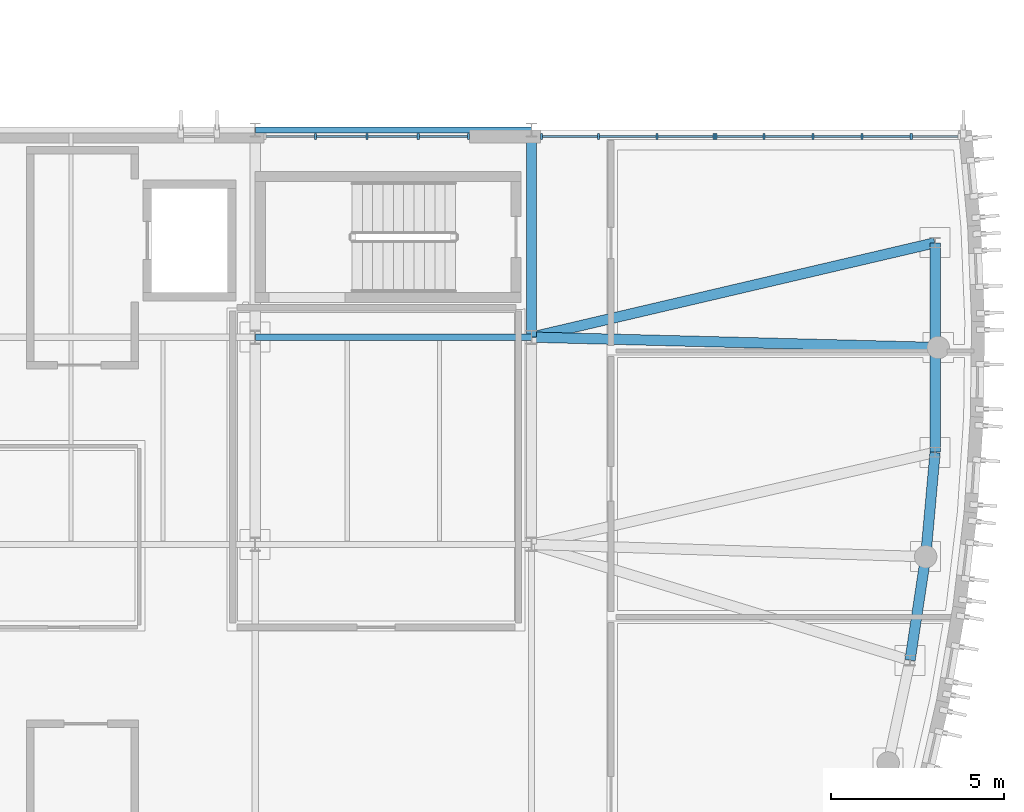
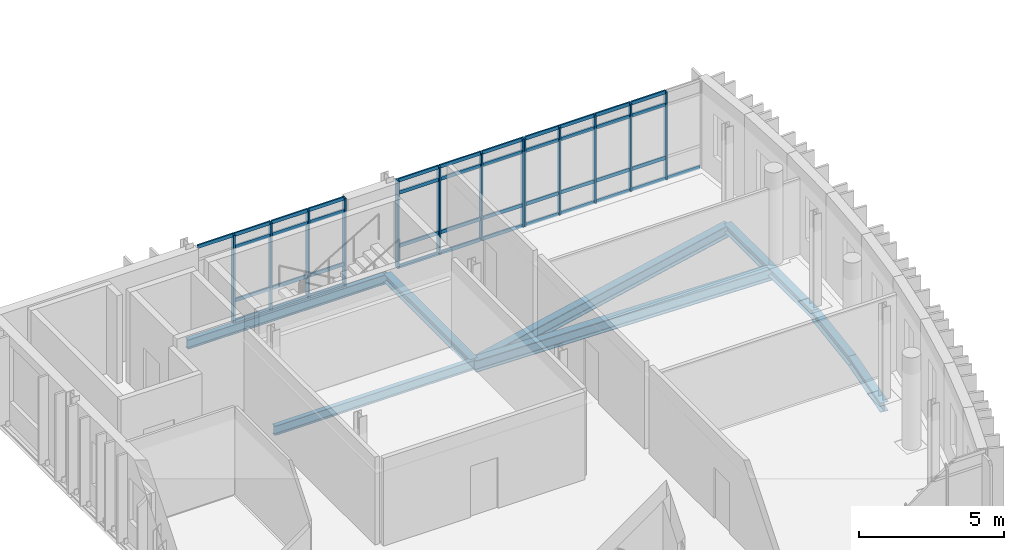
# One storey, part 11 of 28: 55 members, 8 beams, 3 elements without a shape of their own.
"""IFC4 building model written with IfcOpenShell, lengths in metres."""

from ifc_helpers import new_model, si_unit, direction, frame, origin, origin_2d, place, context, subcontext, project, spatial, rectangle, i_section, extrude, material, material_profile, profile_set, type_object, element, aggregate, save


model = new_model("IFC4")

# Units and contexts
model_context = context("Model", 3, precision=1e-05, world=origin(), true_north=direction((0.0, 1.0)))
body_context = subcontext(model_context, "Body", "Model", "MODEL_VIEW")
ifc_project = project(units=[si_unit("LENGTHUNIT", "METRE"), si_unit("AREAUNIT", "SQUARE_METRE"), si_unit("VOLUMEUNIT", "CUBIC_METRE"), si_unit("PLANEANGLEUNIT", "RADIAN"), si_unit("MASSUNIT", "GRAM", prefix="KILO")], contexts=[model_context])

# Site, building, storey
site_placement = place(None, origin())
site = spatial("IfcSite", under=ifc_project, at=site_placement, CompositionType="ELEMENT")
building_placement = place(site_placement, origin())
building = spatial("IfcBuilding", under=site, at=building_placement, Name="Cymarion Research Institute", CompositionType="ELEMENT")
storey_placement = place(building_placement, frame((0.0, 0.0, 30.60009765625)))
storey = spatial("IfcBuildingStorey", under=building, at=storey_placement, Name="L07", CompositionType="ELEMENT", Elevation=30.60009765625)

# Curtain wall, members
ifc_material_1 = material(Name="Anodised aluminium unitised curtain wall with Low-E glazing", Category="aluminium")
curtain_wall_type_1 = type_object("IfcCurtainWallType", Name="UNITISED CURTAIN WALL CW67 7100X3700", PredefinedType="NOTDEFINED", material=ifc_material_1)
curtain_wall_1_placement = place(storey_placement, origin())
curtain_wall_1 = element("IfcCurtainWall", 1, at=curtain_wall_1_placement, inside=storey, type_object=curtain_wall_type_1, Name="L07 V1 unitised curtain wall CW67 #232", PredefinedType="NOTDEFINED")
ifc_material_2 = material(Name="Anodised aluminium framing", Category="aluminium")
ifc_material_profile_1 = material_profile(ifc_material_2, rectangle(XDim=0.06005859375, YDim=0.179931640625, at=origin_2d()), Name="ALU MULLION 60x180")
ifc_profile_set_1 = profile_set([ifc_material_profile_1], Name="Anodised aluminium framing")
member_type_1 = type_object("IfcMemberType", Name="CURTAIN WALL MULLION ML01 60X180", PredefinedType="MULLION", material=ifc_profile_set_1)
member_1_placement = place(storey_placement, frame((165.59521484375, 29.31005859375, 0.0), z_axis=(0.0, 0.0, 1.0), x_axis=(-1.0, 0.0, 0.0)))
member_1 = element("IfcMember", 2, at=member_1_placement, type_object=member_type_1, Name="CW67 mullion 2", PredefinedType="MULLION", context=body_context, shape_type="SweptSolid", body=[
    extrude(rectangle(XDim=0.06005859375, YDim=0.179931640625, at=origin_2d()), origin(), (0.0, 0.0, 1.0), 3.699951171875),
])
member_2_placement = place(storey_placement, frame((164.17431640625, 29.31005859375, 0.0), z_axis=(0.0, 0.0, 1.0), x_axis=(-1.0, 0.0, 0.0)))
member_2 = element("IfcMember", 3, at=member_2_placement, type_object=member_type_1, Name="CW67 mullion 3", PredefinedType="MULLION", context=body_context, shape_type="SweptSolid", body=[
    extrude(rectangle(XDim=0.06005859375, YDim=0.179931640625, at=origin_2d()), origin(), (0.0, 0.0, 1.0), 3.699951171875),
])
member_3_placement = place(storey_placement, frame((162.75341796875, 29.31005859375, 0.0), z_axis=(0.0, 0.0, 1.0), x_axis=(-1.0, 0.0, 0.0)))
member_3 = element("IfcMember", 4, at=member_3_placement, type_object=member_type_1, Name="CW67 mullion 4", PredefinedType="MULLION", context=body_context, shape_type="SweptSolid", body=[
    extrude(rectangle(XDim=0.06005859375, YDim=0.179931640625, at=origin_2d()), origin(), (0.0, 0.0, 1.0), 3.699951171875),
])
member_4_placement = place(storey_placement, frame((161.332763671875, 29.31005859375, 0.0), z_axis=(0.0, 0.0, 1.0), x_axis=(-1.0, 0.0, 0.0)))
member_4 = element("IfcMember", 5, at=member_4_placement, type_object=member_type_1, Name="CW67 mullion 5", PredefinedType="MULLION", context=body_context, shape_type="SweptSolid", body=[
    extrude(rectangle(XDim=0.06005859375, YDim=0.179931640625, at=origin_2d()), origin(), (0.0, 0.0, 1.0), 3.699951171875),
])
member_5_placement = place(storey_placement, frame((159.94189453125, 29.31005859375, 0.0), z_axis=(0.0, 0.0, 1.0), x_axis=(-1.0, 0.0, 0.0)))
member_5 = element("IfcMember", 6, at=member_5_placement, type_object=member_type_1, Name="CW67 mullion 6", PredefinedType="MULLION", context=body_context, shape_type="SweptSolid", body=[
    extrude(rectangle(XDim=0.06005859375, YDim=0.179931640625, at=origin_2d()), origin(), (0.0, 0.0, 1.0), 3.699951171875),
])

curtain_wall_type_2 = type_object("IfcCurtainWallType", Name="UNITISED CURTAIN WALL CW68 5050X3700", PredefinedType="NOTDEFINED", material=ifc_material_1)
curtain_wall_2_placement = place(storey_placement, origin())
curtain_wall_2 = element("IfcCurtainWall", 7, at=curtain_wall_2_placement, inside=storey, type_object=curtain_wall_type_2, Name="L07 V1 unitised curtain wall CW68 #233", PredefinedType="NOTDEFINED")
member_6_placement = place(storey_placement, frame((159.8818359375, 29.31005859375, 0.0), z_axis=(0.0, 0.0, 1.0), x_axis=(-1.0, 0.0, 0.0)))
member_6 = element("IfcMember", 8, at=member_6_placement, type_object=member_type_1, Name="CW68 mullion 1", PredefinedType="MULLION", context=body_context, shape_type="SweptSolid", body=[
    extrude(rectangle(XDim=0.06005859375, YDim=0.179931640625, at=origin_2d()), origin(), (0.0, 0.0, 1.0), 3.699951171875),
])
member_7_placement = place(storey_placement, frame((158.22802734375, 29.31005859375, 0.0), z_axis=(0.0, 0.0, 1.0), x_axis=(-1.0, 0.0, 0.0)))
member_7 = element("IfcMember", 9, at=member_7_placement, type_object=member_type_1, Name="CW68 mullion 2", PredefinedType="MULLION", context=body_context, shape_type="SweptSolid", body=[
    extrude(rectangle(XDim=0.06005859375, YDim=0.179931640625, at=origin_2d()), origin(), (0.0, 0.0, 1.0), 3.699951171875),
])
member_8_placement = place(storey_placement, frame((156.5439453125, 29.31005859375, 0.0), z_axis=(0.0, 0.0, 1.0), x_axis=(-1.0, 0.0, 0.0)))
member_8 = element("IfcMember", 10, at=member_8_placement, type_object=member_type_1, Name="CW68 mullion 3", PredefinedType="MULLION", context=body_context, shape_type="SweptSolid", body=[
    extrude(rectangle(XDim=0.06005859375, YDim=0.179931640625, at=origin_2d()), origin(), (0.0, 0.0, 1.0), 3.699951171875),
])
member_9_placement = place(storey_placement, frame((154.889892578125, 29.31005859375, 0.0), z_axis=(0.0, 0.0, 1.0), x_axis=(-1.0, 0.0, 0.0)))
member_9 = element("IfcMember", 11, at=member_9_placement, type_object=member_type_1, Name="CW68 mullion 4", PredefinedType="MULLION", context=body_context, shape_type="SweptSolid", body=[
    extrude(rectangle(XDim=0.06005859375, YDim=0.179931640625, at=origin_2d()), origin(), (0.0, 0.0, 1.0), 3.699951171875),
])

curtain_wall_type_3 = type_object("IfcCurtainWallType", Name="UNITISED CURTAIN WALL CW69 5950X3700", PredefinedType="NOTDEFINED", material=ifc_material_1)
curtain_wall_3_placement = place(storey_placement, origin())
curtain_wall_3 = element("IfcCurtainWall", 12, at=curtain_wall_3_placement, inside=storey, type_object=curtain_wall_type_3, Name="L07 V1 unitised curtain wall CW69 #234", PredefinedType="NOTDEFINED")
member_10_placement = place(storey_placement, frame((152.77783203125, 29.31005859375, 0.0), z_axis=(0.0, 0.0, 1.0), x_axis=(-1.0, 0.0, 0.0)))
member_10 = element("IfcMember", 13, at=member_10_placement, type_object=member_type_1, Name="CW69 mullion 1", PredefinedType="MULLION", context=body_context, shape_type="SweptSolid", body=[
    extrude(rectangle(XDim=0.06005859375, YDim=0.179931640625, at=origin_2d()), origin(), (0.0, 0.0, 1.0), 3.699951171875),
])
member_11_placement = place(storey_placement, frame((151.321044921875, 29.31005859375, 0.0), z_axis=(0.0, 0.0, 1.0), x_axis=(-1.0, 0.0, 0.0)))
member_11 = element("IfcMember", 14, at=member_11_placement, type_object=member_type_1, Name="CW69 mullion 2", PredefinedType="MULLION", context=body_context, shape_type="SweptSolid", body=[
    extrude(rectangle(XDim=0.06005859375, YDim=0.179931640625, at=origin_2d()), origin(), (0.0, 0.0, 1.0), 3.699951171875),
])
member_12_placement = place(storey_placement, frame((149.833984375, 29.31005859375, 0.0), z_axis=(0.0, 0.0, 1.0), x_axis=(-1.0, 0.0, 0.0)))
member_12 = element("IfcMember", 15, at=member_12_placement, type_object=member_type_1, Name="CW69 mullion 3", PredefinedType="MULLION", context=body_context, shape_type="SweptSolid", body=[
    extrude(rectangle(XDim=0.06005859375, YDim=0.179931640625, at=origin_2d()), origin(), (0.0, 0.0, 1.0), 3.699951171875),
])
member_13_placement = place(storey_placement, frame((148.346923828125, 29.31005859375, 0.0), z_axis=(0.0, 0.0, 1.0), x_axis=(-1.0, 0.0, 0.0)))
member_13 = element("IfcMember", 16, at=member_13_placement, type_object=member_type_1, Name="CW69 mullion 4", PredefinedType="MULLION", context=body_context, shape_type="SweptSolid", body=[
    extrude(rectangle(XDim=0.06005859375, YDim=0.179931640625, at=origin_2d()), origin(), (0.0, 0.0, 1.0), 3.699951171875),
])

# Member
ifc_material_profile_2 = material_profile(ifc_material_2, rectangle(XDim=0.06005859375, YDim=0.14990234375, at=origin_2d()), Name="ALU TRANSOM 60x150")
ifc_profile_set_2 = profile_set([ifc_material_profile_2], Name="Anodised aluminium framing")
member_type_2 = type_object("IfcMemberType", Name="CURTAIN WALL TRANSOM TR01 60X150", PredefinedType="USERDEFINED", material=ifc_profile_set_2)
member_14_placement = place(storey_placement, frame((166.955810546875, 29.31005859375, 0.02978515625), z_axis=(-1.0, 0.0, 0.0), x_axis=(0.0, -1.0, 0.0)))
member_14 = element("IfcMember", 17, at=member_14_placement, type_object=member_type_2, Name="CW67 transom 1.1", ObjectType="TRANSOM", PredefinedType="USERDEFINED", context=body_context, shape_type="SweptSolid", body=[
    extrude(rectangle(XDim=0.06005859375, YDim=0.14990234375, at=origin_2d()), origin(), (0.0, 0.0, 1.0), 1.330810546875),
])

member_15_placement = place(storey_placement, frame((165.565185546875, 29.31005859375, 0.02978515625), z_axis=(-1.0, 0.0, 0.0), x_axis=(0.0, -1.0, 0.0)))
member_15 = element("IfcMember", 18, at=member_15_placement, type_object=member_type_2, Name="CW67 transom 2.1", ObjectType="TRANSOM", PredefinedType="USERDEFINED", context=body_context, shape_type="SweptSolid", body=[
    extrude(rectangle(XDim=0.06005859375, YDim=0.14990234375, at=origin_2d()), origin(), (0.0, 0.0, 1.0), 1.36083984375),
])

member_16_placement = place(storey_placement, frame((165.565185546875, 29.31005859375, 0.89990234375), z_axis=(-1.0, 0.0, 0.0), x_axis=(0.0, -1.0, 0.0)))
member_16 = element("IfcMember", 19, at=member_16_placement, type_object=member_type_2, Name="CW67 transom 2.2", ObjectType="TRANSOM", PredefinedType="USERDEFINED", context=body_context, shape_type="SweptSolid", body=[
    extrude(rectangle(XDim=0.06005859375, YDim=0.14990234375, at=origin_2d()), origin(), (0.0, 0.0, 1.0), 1.36083984375),
])

member_17_placement = place(storey_placement, frame((165.565185546875, 29.31005859375, 3.14990234375), z_axis=(-1.0, 0.0, 0.0), x_axis=(0.0, -1.0, 0.0)))
member_17 = element("IfcMember", 20, at=member_17_placement, type_object=member_type_2, Name="CW67 transom 2.3", ObjectType="TRANSOM", PredefinedType="USERDEFINED", context=body_context, shape_type="SweptSolid", body=[
    extrude(rectangle(XDim=0.06005859375, YDim=0.14990234375, at=origin_2d()), origin(), (0.0, 0.0, 1.0), 1.36083984375),
])

member_18_placement = place(storey_placement, frame((165.565185546875, 29.31005859375, 3.669921875), z_axis=(-1.0, 0.0, 0.0), x_axis=(0.0, -1.0, 0.0)))
member_18 = element("IfcMember", 21, at=member_18_placement, type_object=member_type_2, Name="CW67 transom 2.4", ObjectType="TRANSOM", PredefinedType="USERDEFINED", context=body_context, shape_type="SweptSolid", body=[
    extrude(rectangle(XDim=0.06005859375, YDim=0.14990234375, at=origin_2d()), origin(), (0.0, 0.0, 1.0), 1.36083984375),
])

member_19_placement = place(storey_placement, frame((164.144287109375, 29.31005859375, 0.02978515625), z_axis=(-1.0, 0.0, 0.0), x_axis=(0.0, -1.0, 0.0)))
member_19 = element("IfcMember", 22, at=member_19_placement, type_object=member_type_2, Name="CW67 transom 3.1", ObjectType="TRANSOM", PredefinedType="USERDEFINED", context=body_context, shape_type="SweptSolid", body=[
    extrude(rectangle(XDim=0.06005859375, YDim=0.14990234375, at=origin_2d()), origin(), (0.0, 0.0, 1.0), 1.36083984375),
])

member_20_placement = place(storey_placement, frame((164.144287109375, 29.31005859375, 0.89990234375), z_axis=(-1.0, 0.0, 0.0), x_axis=(0.0, -1.0, 0.0)))
member_20 = element("IfcMember", 23, at=member_20_placement, type_object=member_type_2, Name="CW67 transom 3.2", ObjectType="TRANSOM", PredefinedType="USERDEFINED", context=body_context, shape_type="SweptSolid", body=[
    extrude(rectangle(XDim=0.06005859375, YDim=0.14990234375, at=origin_2d()), origin(), (0.0, 0.0, 1.0), 1.36083984375),
])

member_21_placement = place(storey_placement, frame((164.144287109375, 29.31005859375, 3.14990234375), z_axis=(-1.0, 0.0, 0.0), x_axis=(0.0, -1.0, 0.0)))
member_21 = element("IfcMember", 24, at=member_21_placement, type_object=member_type_2, Name="CW67 transom 3.3", ObjectType="TRANSOM", PredefinedType="USERDEFINED", context=body_context, shape_type="SweptSolid", body=[
    extrude(rectangle(XDim=0.06005859375, YDim=0.14990234375, at=origin_2d()), origin(), (0.0, 0.0, 1.0), 1.36083984375),
])

member_22_placement = place(storey_placement, frame((164.144287109375, 29.31005859375, 3.669921875), z_axis=(-1.0, 0.0, 0.0), x_axis=(0.0, -1.0, 0.0)))
member_22 = element("IfcMember", 25, at=member_22_placement, type_object=member_type_2, Name="CW67 transom 3.4", ObjectType="TRANSOM", PredefinedType="USERDEFINED", context=body_context, shape_type="SweptSolid", body=[
    extrude(rectangle(XDim=0.06005859375, YDim=0.14990234375, at=origin_2d()), origin(), (0.0, 0.0, 1.0), 1.36083984375),
])

member_23_placement = place(storey_placement, frame((162.723388671875, 29.31005859375, 0.02978515625), z_axis=(-1.0, 0.0, 0.0), x_axis=(0.0, -1.0, 0.0)))
member_23 = element("IfcMember", 26, at=member_23_placement, type_object=member_type_2, Name="CW67 transom 4.1", ObjectType="TRANSOM", PredefinedType="USERDEFINED", context=body_context, shape_type="SweptSolid", body=[
    extrude(rectangle(XDim=0.06005859375, YDim=0.14990234375, at=origin_2d()), origin(), (0.0, 0.0, 1.0), 1.360595703125),
])

member_24_placement = place(storey_placement, frame((162.723388671875, 29.31005859375, 0.89990234375), z_axis=(-1.0, 0.0, 0.0), x_axis=(0.0, -1.0, 0.0)))
member_24 = element("IfcMember", 27, at=member_24_placement, type_object=member_type_2, Name="CW67 transom 4.2", ObjectType="TRANSOM", PredefinedType="USERDEFINED", context=body_context, shape_type="SweptSolid", body=[
    extrude(rectangle(XDim=0.06005859375, YDim=0.14990234375, at=origin_2d()), origin(), (0.0, 0.0, 1.0), 1.360595703125),
])

member_25_placement = place(storey_placement, frame((162.723388671875, 29.31005859375, 3.14990234375), z_axis=(-1.0, 0.0, 0.0), x_axis=(0.0, -1.0, 0.0)))
member_25 = element("IfcMember", 28, at=member_25_placement, type_object=member_type_2, Name="CW67 transom 4.3", ObjectType="TRANSOM", PredefinedType="USERDEFINED", context=body_context, shape_type="SweptSolid", body=[
    extrude(rectangle(XDim=0.06005859375, YDim=0.14990234375, at=origin_2d()), origin(), (0.0, 0.0, 1.0), 1.360595703125),
])

member_26_placement = place(storey_placement, frame((162.723388671875, 29.31005859375, 3.669921875), z_axis=(-1.0, 0.0, 0.0), x_axis=(0.0, -1.0, 0.0)))
member_26 = element("IfcMember", 29, at=member_26_placement, type_object=member_type_2, Name="CW67 transom 4.4", ObjectType="TRANSOM", PredefinedType="USERDEFINED", context=body_context, shape_type="SweptSolid", body=[
    extrude(rectangle(XDim=0.06005859375, YDim=0.14990234375, at=origin_2d()), origin(), (0.0, 0.0, 1.0), 1.360595703125),
])

member_27_placement = place(storey_placement, frame((161.302734375, 29.31005859375, 0.02978515625), z_axis=(-1.0, 0.0, 0.0), x_axis=(0.0, -1.0, 0.0)))
member_27 = element("IfcMember", 30, at=member_27_placement, type_object=member_type_2, Name="CW67 transom 5.1", ObjectType="TRANSOM", PredefinedType="USERDEFINED", context=body_context, shape_type="SweptSolid", body=[
    extrude(rectangle(XDim=0.06005859375, YDim=0.14990234375, at=origin_2d()), origin(), (0.0, 0.0, 1.0), 1.330810546875),
])

member_28_placement = place(storey_placement, frame((161.302734375, 29.31005859375, 0.89990234375), z_axis=(-1.0, 0.0, 0.0), x_axis=(0.0, -1.0, 0.0)))
member_28 = element("IfcMember", 31, at=member_28_placement, type_object=member_type_2, Name="CW67 transom 5.2", ObjectType="TRANSOM", PredefinedType="USERDEFINED", context=body_context, shape_type="SweptSolid", body=[
    extrude(rectangle(XDim=0.06005859375, YDim=0.14990234375, at=origin_2d()), origin(), (0.0, 0.0, 1.0), 1.330810546875),
])

member_29_placement = place(storey_placement, frame((161.302734375, 29.31005859375, 3.14990234375), z_axis=(-1.0, 0.0, 0.0), x_axis=(0.0, -1.0, 0.0)))
member_29 = element("IfcMember", 32, at=member_29_placement, type_object=member_type_2, Name="CW67 transom 5.3", ObjectType="TRANSOM", PredefinedType="USERDEFINED", context=body_context, shape_type="SweptSolid", body=[
    extrude(rectangle(XDim=0.06005859375, YDim=0.14990234375, at=origin_2d()), origin(), (0.0, 0.0, 1.0), 1.330810546875),
])

member_30_placement = place(storey_placement, frame((161.302734375, 29.31005859375, 3.669921875), z_axis=(-1.0, 0.0, 0.0), x_axis=(0.0, -1.0, 0.0)))
member_30 = element("IfcMember", 33, at=member_30_placement, type_object=member_type_2, Name="CW67 transom 5.4", ObjectType="TRANSOM", PredefinedType="USERDEFINED", context=body_context, shape_type="SweptSolid", body=[
    extrude(rectangle(XDim=0.06005859375, YDim=0.14990234375, at=origin_2d()), origin(), (0.0, 0.0, 1.0), 1.330810546875),
])

aggregate(curtain_wall_1, [member_1, member_2, member_3, member_4, member_5, member_14, member_15, member_16, member_17, member_18, member_19, member_20, member_21, member_22, member_23, member_24, member_25, member_26, member_27, member_28, member_29, member_30])

member_31_placement = place(storey_placement, frame((159.851806640625, 29.31005859375, 0.02978515625), z_axis=(-1.0, 0.0, 0.0), x_axis=(0.0, -1.0, 0.0)))
member_31 = element("IfcMember", 34, at=member_31_placement, type_object=member_type_2, Name="CW68 transom 1.1", ObjectType="TRANSOM", PredefinedType="USERDEFINED", context=body_context, shape_type="SweptSolid", body=[
    extrude(rectangle(XDim=0.06005859375, YDim=0.14990234375, at=origin_2d()), origin(), (0.0, 0.0, 1.0), 1.593994140625),
])

member_32_placement = place(storey_placement, frame((159.851806640625, 29.31005859375, 0.89990234375), z_axis=(-1.0, 0.0, 0.0), x_axis=(0.0, -1.0, 0.0)))
member_32 = element("IfcMember", 35, at=member_32_placement, type_object=member_type_2, Name="CW68 transom 1.2", ObjectType="TRANSOM", PredefinedType="USERDEFINED", context=body_context, shape_type="SweptSolid", body=[
    extrude(rectangle(XDim=0.06005859375, YDim=0.14990234375, at=origin_2d()), origin(), (0.0, 0.0, 1.0), 1.593994140625),
])

member_33_placement = place(storey_placement, frame((159.851806640625, 29.31005859375, 3.14990234375), z_axis=(-1.0, 0.0, 0.0), x_axis=(0.0, -1.0, 0.0)))
member_33 = element("IfcMember", 36, at=member_33_placement, type_object=member_type_2, Name="CW68 transom 1.3", ObjectType="TRANSOM", PredefinedType="USERDEFINED", context=body_context, shape_type="SweptSolid", body=[
    extrude(rectangle(XDim=0.06005859375, YDim=0.14990234375, at=origin_2d()), origin(), (0.0, 0.0, 1.0), 1.593994140625),
])

member_34_placement = place(storey_placement, frame((159.851806640625, 29.31005859375, 3.669921875), z_axis=(-1.0, 0.0, 0.0), x_axis=(0.0, -1.0, 0.0)))
member_34 = element("IfcMember", 37, at=member_34_placement, type_object=member_type_2, Name="CW68 transom 1.4", ObjectType="TRANSOM", PredefinedType="USERDEFINED", context=body_context, shape_type="SweptSolid", body=[
    extrude(rectangle(XDim=0.06005859375, YDim=0.14990234375, at=origin_2d()), origin(), (0.0, 0.0, 1.0), 1.593994140625),
])

member_35_placement = place(storey_placement, frame((158.197998046875, 29.31005859375, 0.02978515625), z_axis=(-1.0, 0.0, 0.0), x_axis=(0.0, -1.0, 0.0)))
member_35 = element("IfcMember", 38, at=member_35_placement, type_object=member_type_2, Name="CW68 transom 2.1", ObjectType="TRANSOM", PredefinedType="USERDEFINED", context=body_context, shape_type="SweptSolid", body=[
    extrude(rectangle(XDim=0.06005859375, YDim=0.14990234375, at=origin_2d()), origin(), (0.0, 0.0, 1.0), 1.6240234375),
])

member_36_placement = place(storey_placement, frame((158.197998046875, 29.31005859375, 0.89990234375), z_axis=(-1.0, 0.0, 0.0), x_axis=(0.0, -1.0, 0.0)))
member_36 = element("IfcMember", 39, at=member_36_placement, type_object=member_type_2, Name="CW68 transom 2.2", ObjectType="TRANSOM", PredefinedType="USERDEFINED", context=body_context, shape_type="SweptSolid", body=[
    extrude(rectangle(XDim=0.06005859375, YDim=0.14990234375, at=origin_2d()), origin(), (0.0, 0.0, 1.0), 1.6240234375),
])

member_37_placement = place(storey_placement, frame((158.197998046875, 29.31005859375, 3.14990234375), z_axis=(-1.0, 0.0, 0.0), x_axis=(0.0, -1.0, 0.0)))
member_37 = element("IfcMember", 40, at=member_37_placement, type_object=member_type_2, Name="CW68 transom 2.3", ObjectType="TRANSOM", PredefinedType="USERDEFINED", context=body_context, shape_type="SweptSolid", body=[
    extrude(rectangle(XDim=0.06005859375, YDim=0.14990234375, at=origin_2d()), origin(), (0.0, 0.0, 1.0), 1.6240234375),
])

member_38_placement = place(storey_placement, frame((158.197998046875, 29.31005859375, 3.669921875), z_axis=(-1.0, 0.0, 0.0), x_axis=(0.0, -1.0, 0.0)))
member_38 = element("IfcMember", 41, at=member_38_placement, type_object=member_type_2, Name="CW68 transom 2.4", ObjectType="TRANSOM", PredefinedType="USERDEFINED", context=body_context, shape_type="SweptSolid", body=[
    extrude(rectangle(XDim=0.06005859375, YDim=0.14990234375, at=origin_2d()), origin(), (0.0, 0.0, 1.0), 1.6240234375),
])

member_39_placement = place(storey_placement, frame((156.513916015625, 29.31005859375, 0.02978515625), z_axis=(-1.0, 0.0, 0.0), x_axis=(0.0, -1.0, 0.0)))
member_39 = element("IfcMember", 42, at=member_39_placement, type_object=member_type_2, Name="CW68 transom 3.1", ObjectType="TRANSOM", PredefinedType="USERDEFINED", context=body_context, shape_type="SweptSolid", body=[
    extrude(rectangle(XDim=0.06005859375, YDim=0.14990234375, at=origin_2d()), origin(), (0.0, 0.0, 1.0), 1.593994140625),
])

member_40_placement = place(storey_placement, frame((156.513916015625, 29.31005859375, 0.89990234375), z_axis=(-1.0, 0.0, 0.0), x_axis=(0.0, -1.0, 0.0)))
member_40 = element("IfcMember", 43, at=member_40_placement, type_object=member_type_2, Name="CW68 transom 3.2", ObjectType="TRANSOM", PredefinedType="USERDEFINED", context=body_context, shape_type="SweptSolid", body=[
    extrude(rectangle(XDim=0.06005859375, YDim=0.14990234375, at=origin_2d()), origin(), (0.0, 0.0, 1.0), 1.593994140625),
])

member_41_placement = place(storey_placement, frame((156.513916015625, 29.31005859375, 3.14990234375), z_axis=(-1.0, 0.0, 0.0), x_axis=(0.0, -1.0, 0.0)))
member_41 = element("IfcMember", 44, at=member_41_placement, type_object=member_type_2, Name="CW68 transom 3.3", ObjectType="TRANSOM", PredefinedType="USERDEFINED", context=body_context, shape_type="SweptSolid", body=[
    extrude(rectangle(XDim=0.06005859375, YDim=0.14990234375, at=origin_2d()), origin(), (0.0, 0.0, 1.0), 1.593994140625),
])

member_42_placement = place(storey_placement, frame((156.513916015625, 29.31005859375, 3.669921875), z_axis=(-1.0, 0.0, 0.0), x_axis=(0.0, -1.0, 0.0)))
member_42 = element("IfcMember", 45, at=member_42_placement, type_object=member_type_2, Name="CW68 transom 3.4", ObjectType="TRANSOM", PredefinedType="USERDEFINED", context=body_context, shape_type="SweptSolid", body=[
    extrude(rectangle(XDim=0.06005859375, YDim=0.14990234375, at=origin_2d()), origin(), (0.0, 0.0, 1.0), 1.593994140625),
])

aggregate(curtain_wall_2, [member_6, member_7, member_8, member_9, member_31, member_32, member_33, member_34, member_35, member_36, member_37, member_38, member_39, member_40, member_41, member_42])

member_43_placement = place(storey_placement, frame((152.747802734375, 29.31005859375, 0.02978515625), z_axis=(-1.0, 0.0, 0.0), x_axis=(0.0, -1.0, 0.0)))
member_43 = element("IfcMember", 46, at=member_43_placement, type_object=member_type_2, Name="CW69 transom 1.1", ObjectType="TRANSOM", PredefinedType="USERDEFINED", context=body_context, shape_type="SweptSolid", body=[
    extrude(rectangle(XDim=0.06005859375, YDim=0.14990234375, at=origin_2d()), origin(), (0.0, 0.0, 1.0), 1.39697265625),
])

member_44_placement = place(storey_placement, frame((152.747802734375, 29.31005859375, 0.89990234375), z_axis=(-1.0, 0.0, 0.0), x_axis=(0.0, -1.0, 0.0)))
member_44 = element("IfcMember", 47, at=member_44_placement, type_object=member_type_2, Name="CW69 transom 1.2", ObjectType="TRANSOM", PredefinedType="USERDEFINED", context=body_context, shape_type="SweptSolid", body=[
    extrude(rectangle(XDim=0.06005859375, YDim=0.14990234375, at=origin_2d()), origin(), (0.0, 0.0, 1.0), 1.39697265625),
])

member_45_placement = place(storey_placement, frame((152.747802734375, 29.31005859375, 3.14990234375), z_axis=(-1.0, 0.0, 0.0), x_axis=(0.0, -1.0, 0.0)))
member_45 = element("IfcMember", 48, at=member_45_placement, type_object=member_type_2, Name="CW69 transom 1.3", ObjectType="TRANSOM", PredefinedType="USERDEFINED", context=body_context, shape_type="SweptSolid", body=[
    extrude(rectangle(XDim=0.06005859375, YDim=0.14990234375, at=origin_2d()), origin(), (0.0, 0.0, 1.0), 1.39697265625),
])

member_46_placement = place(storey_placement, frame((152.747802734375, 29.31005859375, 3.669921875), z_axis=(-1.0, 0.0, 0.0), x_axis=(0.0, -1.0, 0.0)))
member_46 = element("IfcMember", 49, at=member_46_placement, type_object=member_type_2, Name="CW69 transom 1.4", ObjectType="TRANSOM", PredefinedType="USERDEFINED", context=body_context, shape_type="SweptSolid", body=[
    extrude(rectangle(XDim=0.06005859375, YDim=0.14990234375, at=origin_2d()), origin(), (0.0, 0.0, 1.0), 1.39697265625),
])

member_47_placement = place(storey_placement, frame((151.291015625, 29.31005859375, 0.02978515625), z_axis=(-1.0, 0.0, 0.0), x_axis=(0.0, -1.0, 0.0)))
member_47 = element("IfcMember", 50, at=member_47_placement, type_object=member_type_2, Name="CW69 transom 2.1", ObjectType="TRANSOM", PredefinedType="USERDEFINED", context=body_context, shape_type="SweptSolid", body=[
    extrude(rectangle(XDim=0.06005859375, YDim=0.14990234375, at=origin_2d()), origin(), (0.0, 0.0, 1.0), 1.427001953125),
])

member_48_placement = place(storey_placement, frame((151.291015625, 29.31005859375, 0.89990234375), z_axis=(-1.0, 0.0, 0.0), x_axis=(0.0, -1.0, 0.0)))
member_48 = element("IfcMember", 51, at=member_48_placement, type_object=member_type_2, Name="CW69 transom 2.2", ObjectType="TRANSOM", PredefinedType="USERDEFINED", context=body_context, shape_type="SweptSolid", body=[
    extrude(rectangle(XDim=0.06005859375, YDim=0.14990234375, at=origin_2d()), origin(), (0.0, 0.0, 1.0), 1.427001953125),
])

member_49_placement = place(storey_placement, frame((151.291015625, 29.31005859375, 3.14990234375), z_axis=(-1.0, 0.0, 0.0), x_axis=(0.0, -1.0, 0.0)))
member_49 = element("IfcMember", 52, at=member_49_placement, type_object=member_type_2, Name="CW69 transom 2.3", ObjectType="TRANSOM", PredefinedType="USERDEFINED", context=body_context, shape_type="SweptSolid", body=[
    extrude(rectangle(XDim=0.06005859375, YDim=0.14990234375, at=origin_2d()), origin(), (0.0, 0.0, 1.0), 1.427001953125),
])

member_50_placement = place(storey_placement, frame((151.291015625, 29.31005859375, 3.669921875), z_axis=(-1.0, 0.0, 0.0), x_axis=(0.0, -1.0, 0.0)))
member_50 = element("IfcMember", 53, at=member_50_placement, type_object=member_type_2, Name="CW69 transom 2.4", ObjectType="TRANSOM", PredefinedType="USERDEFINED", context=body_context, shape_type="SweptSolid", body=[
    extrude(rectangle(XDim=0.06005859375, YDim=0.14990234375, at=origin_2d()), origin(), (0.0, 0.0, 1.0), 1.427001953125),
])

member_51_placement = place(storey_placement, frame((149.803955078125, 29.31005859375, 0.02978515625), z_axis=(-1.0, 0.0, 0.0), x_axis=(0.0, -1.0, 0.0)))
member_51 = element("IfcMember", 54, at=member_51_placement, type_object=member_type_2, Name="CW69 transom 3.1", ObjectType="TRANSOM", PredefinedType="USERDEFINED", context=body_context, shape_type="SweptSolid", body=[
    extrude(rectangle(XDim=0.06005859375, YDim=0.14990234375, at=origin_2d()), origin(), (0.0, 0.0, 1.0), 1.427001953125),
])

member_52_placement = place(storey_placement, frame((149.803955078125, 29.31005859375, 0.89990234375), z_axis=(-1.0, 0.0, 0.0), x_axis=(0.0, -1.0, 0.0)))
member_52 = element("IfcMember", 55, at=member_52_placement, type_object=member_type_2, Name="CW69 transom 3.2", ObjectType="TRANSOM", PredefinedType="USERDEFINED", context=body_context, shape_type="SweptSolid", body=[
    extrude(rectangle(XDim=0.06005859375, YDim=0.14990234375, at=origin_2d()), origin(), (0.0, 0.0, 1.0), 1.427001953125),
])

member_53_placement = place(storey_placement, frame((149.803955078125, 29.31005859375, 3.14990234375), z_axis=(-1.0, 0.0, 0.0), x_axis=(0.0, -1.0, 0.0)))
member_53 = element("IfcMember", 56, at=member_53_placement, type_object=member_type_2, Name="CW69 transom 3.3", ObjectType="TRANSOM", PredefinedType="USERDEFINED", context=body_context, shape_type="SweptSolid", body=[
    extrude(rectangle(XDim=0.06005859375, YDim=0.14990234375, at=origin_2d()), origin(), (0.0, 0.0, 1.0), 1.427001953125),
])

member_54_placement = place(storey_placement, frame((149.803955078125, 29.31005859375, 3.669921875), z_axis=(-1.0, 0.0, 0.0), x_axis=(0.0, -1.0, 0.0)))
member_54 = element("IfcMember", 57, at=member_54_placement, type_object=member_type_2, Name="CW69 transom 3.4", ObjectType="TRANSOM", PredefinedType="USERDEFINED", context=body_context, shape_type="SweptSolid", body=[
    extrude(rectangle(XDim=0.06005859375, YDim=0.14990234375, at=origin_2d()), origin(), (0.0, 0.0, 1.0), 1.427001953125),
])

member_55_placement = place(storey_placement, frame((148.31689453125, 29.31005859375, 3.669921875), z_axis=(-1.0, 0.0, 0.0), x_axis=(0.0, -1.0, 0.0)))
member_55 = element("IfcMember", 58, at=member_55_placement, type_object=member_type_2, Name="CW69 transom 4.4", ObjectType="TRANSOM", PredefinedType="USERDEFINED", context=body_context, shape_type="SweptSolid", body=[
    extrude(rectangle(XDim=0.06005859375, YDim=0.14990234375, at=origin_2d()), origin(), (0.0, 0.0, 1.0), 1.39697265625),
])

aggregate(curtain_wall_3, [member_10, member_11, member_12, member_13, member_43, member_44, member_45, member_46, member_47, member_48, member_49, member_50, member_51, member_52, member_53, member_54, member_55])

# Beams
ifc_material_3 = material(Name="Steel S355", Category="steel")
ifc_material_profile_3 = material_profile(ifc_material_3, i_section(OverallWidth=0.179931640625, OverallDepth=0.39990234375, WebThickness=0.008544921875, FlangeThickness=0.013427734375, FilletRadius=0.02099609375, at=origin_2d()), Name="IPE 400")
ifc_profile_set_3 = profile_set([ifc_material_profile_3], Name="Steel S355")
beam_type_1 = type_object("IfcBeamType", Name="PRIMARY GIRDER BM05 IPE 400", PredefinedType="BEAM", material=ifc_profile_set_3)
for number, where, z_axis, x_axis, name in (
    (59, (146.60595703125, 23.5, -0.420166015625), (1.0, 0.0, 0.0), (0.0, 1.0, 0.0), "L07 V1 girder BM05 #2194"),
    (60, (146.60595703125, 29.5, -0.420166015625), (1.0, 0.0, 0.0), (0.0, 1.0, 0.0), "L07 V1 girder BM05 #2196"),
):
    element("IfcBeam", number, at=place(storey_placement, frame(where, z_axis=z_axis, x_axis=x_axis)), inside=storey, type_object=beam_type_1, Name=name, PredefinedType="BEAM", context=body_context, shape_type="SweptSolid", body=[
        extrude(i_section(OverallWidth=0.179931640625, OverallDepth=0.39990234375, WebThickness=0.008544921875, FlangeThickness=0.013427734375, FilletRadius=0.02099609375, at=origin_2d()), origin(), (0.0, 0.0, 1.0), 7.988037109375),
    ])
ifc_material_profile_4 = material_profile(ifc_material_3, i_section(OverallWidth=0.300048828125, OverallDepth=0.5, WebThickness=0.014404296875, FlangeThickness=0.028076171875, FilletRadius=0.027099609375, at=origin_2d()), Name="HEB 500")
ifc_profile_set_4 = profile_set([ifc_material_profile_4], Name="Steel S355")
beam_type_2 = type_object("IfcBeamType", Name="PRIMARY GIRDER BM09 HEB 500", PredefinedType="BEAM", material=ifc_profile_set_4)
beam_1_placement = place(storey_placement, frame((154.60791015625, 23.499755859375, -0.47021484375), z_axis=(0.999675752574, -0.025463497715, 0.0), x_axis=(0.025463497715, 0.999675752574, 0.0)))
element("IfcBeam", 61, at=beam_1_placement, inside=storey, type_object=beam_type_2, Name="L07 V1 radial prow girder BM09 #2216", PredefinedType="BEAM", context=body_context, shape_type="SweptSolid", body=[
    extrude(i_section(OverallWidth=0.300048828125, OverallDepth=0.5, WebThickness=0.014404296875, FlangeThickness=0.028076171875, FilletRadius=0.027099609375, at=origin_2d()), origin(), (0.0, 0.0, 1.0), 11.764404296875),
])
beam_2_placement = place(storey_placement, frame((154.60791015625, 23.501708984375, -0.47021484375), z_axis=(0.973701737176, 0.22782652835, 0.0), x_axis=(-0.22782652835, 0.973701737176, 0.0)))
element("IfcBeam", 62, at=beam_2_placement, inside=storey, type_object=beam_type_2, Name="L07 V1 radial prow girder BM09 #2217", PredefinedType="BEAM", context=body_context, shape_type="SweptSolid", body=[
    extrude(i_section(OverallWidth=0.300048828125, OverallDepth=0.5, WebThickness=0.014404296875, FlangeThickness=0.028076171875, FilletRadius=0.027099609375, at=origin_2d()), origin(), (0.0, 0.0, 1.0), 11.98486328125),
])
ifc_material_profile_5 = material_profile(ifc_material_3, i_section(OverallWidth=0.300048828125, OverallDepth=0.39990234375, WebThickness=0.013427734375, FlangeThickness=0.02392578125, FilletRadius=0.027099609375, at=origin_2d()), Name="HEB 400")
ifc_profile_set_5 = profile_set([ifc_material_profile_5], Name="Steel S355")
beam_type_3 = type_object("IfcBeamType", Name="PRIMARY GIRDER BM11 HEB 400", PredefinedType="BEAM", material=ifc_profile_set_5)
beam_3_placement = place(storey_placement, frame((165.56103515625, 14.1494140625, -0.420166015625), z_axis=(0.149261642014, 0.988797735749, 0.0), x_axis=(-0.988797735749, 0.149261642014, 0.0)))
element("IfcBeam", 63, at=beam_3_placement, inside=storey, type_object=beam_type_3, Name="L07 V1 prow ring girder BM11 #2210", PredefinedType="BEAM", context=body_context, shape_type="SweptSolid", body=[
    extrude(i_section(OverallWidth=0.300048828125, OverallDepth=0.39990234375, WebThickness=0.013427734375, FlangeThickness=0.02392578125, FilletRadius=0.027099609375, at=origin_2d()), origin(), (0.0, 0.0, 1.0), 3.01953125),
])
beam_4_placement = place(storey_placement, frame((166.013671875, 17.15087890625, -0.420166015625), z_axis=(0.089835817944, 0.995956588318, 0.0), x_axis=(-0.995956588318, 0.089835817944, 0.0)))
element("IfcBeam", 64, at=beam_4_placement, inside=storey, type_object=beam_type_3, Name="L07 V1 prow ring girder BM11 #2211", PredefinedType="BEAM", context=body_context, shape_type="SweptSolid", body=[
    extrude(i_section(OverallWidth=0.300048828125, OverallDepth=0.39990234375, WebThickness=0.013427734375, FlangeThickness=0.02392578125, FilletRadius=0.027099609375, at=origin_2d()), origin(), (0.0, 0.0, 1.0), 3.019287109375),
])
ifc_material_profile_6 = material_profile(ifc_material_3, i_section(OverallWidth=0.300048828125, OverallDepth=0.35009765625, WebThickness=0.010009765625, FlangeThickness=0.017578125, FilletRadius=0.027099609375, at=origin_2d()), Name="HEA 360")
ifc_profile_set_6 = profile_set([ifc_material_profile_6], Name="Steel S355")
beam_type_4 = type_object("IfcBeamType", Name="PRIMARY GIRDER BM12 HEA 360", PredefinedType="BEAM", material=ifc_profile_set_6)
beam_5_placement = place(storey_placement, frame((154.60009765625, 23.506103515625, -0.39501953125), z_axis=(0.0, 1.0, 0.0), x_axis=(-1.0, 0.0, 0.0)))
element("IfcBeam", 65, at=beam_5_placement, inside=storey, type_object=beam_type_4, Name="L07 V1 girder BM12 #2206", PredefinedType="BEAM", context=body_context, shape_type="SweptSolid", body=[
    extrude(i_section(OverallWidth=0.300048828125, OverallDepth=0.35009765625, WebThickness=0.010009765625, FlangeThickness=0.017578125, FilletRadius=0.027099609375, at=origin_2d()), origin(), (0.0, 0.0, 1.0), 5.98779296875),
])
beam_6_placement = place(storey_placement, frame((166.2900390625, 20.172119140625, -0.39501953125), z_axis=(0.0, 1.0, 0.0), x_axis=(-1.0, 0.0, 0.0)))
element("IfcBeam", 66, at=beam_6_placement, inside=storey, type_object=beam_type_4, Name="L07 V1 girder BM12 #2207", PredefinedType="BEAM", context=body_context, shape_type="SweptSolid", body=[
    extrude(i_section(OverallWidth=0.300048828125, OverallDepth=0.35009765625, WebThickness=0.010009765625, FlangeThickness=0.017578125, FilletRadius=0.027099609375, at=origin_2d()), origin(), (0.0, 0.0, 1.0), 6.055908203125),
])

save(model, "model.ifc")
